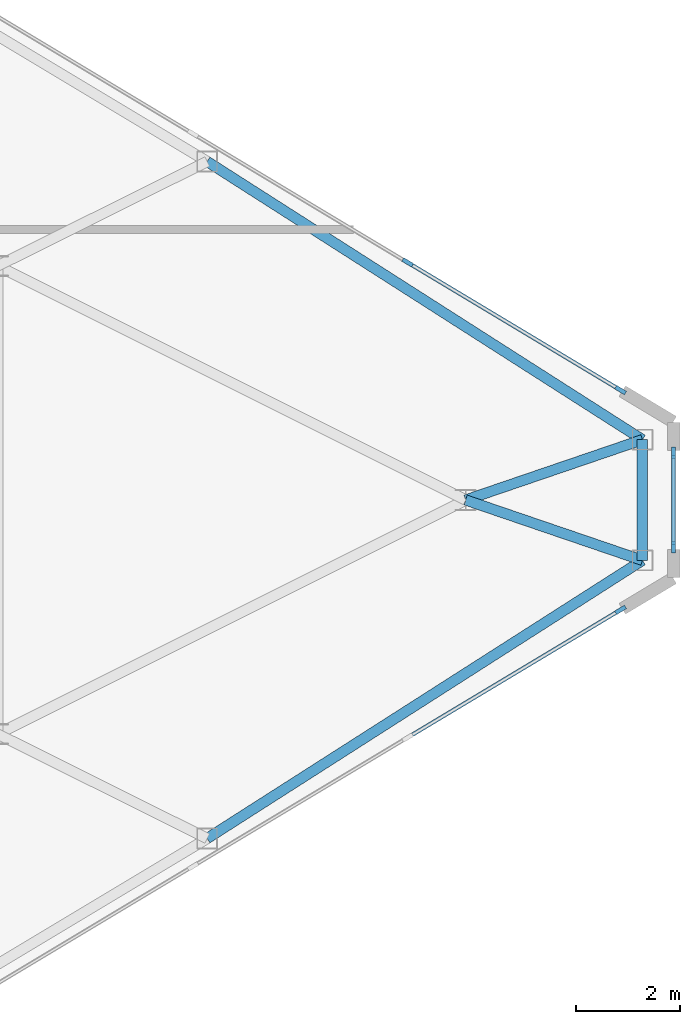
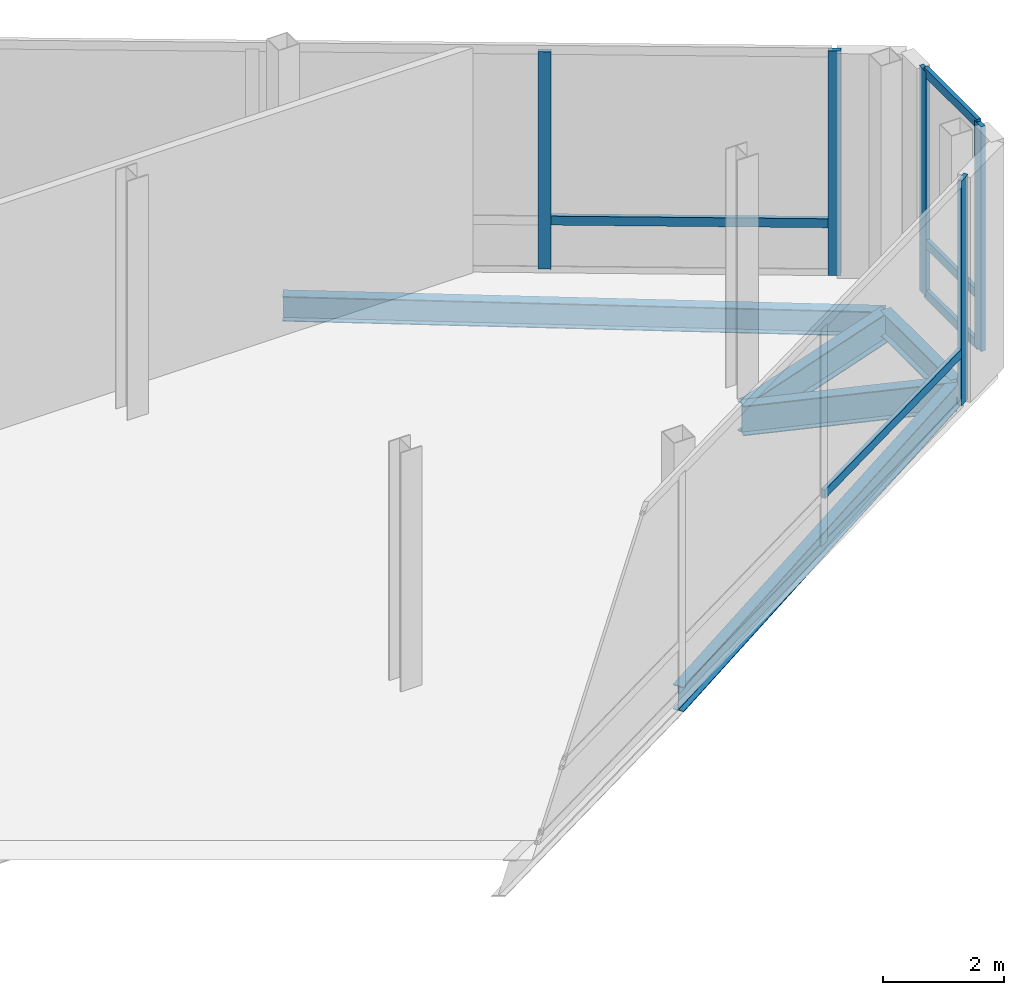
# One storey, part 18 of 28: 10 members, 5 beams, 3 elements without a shape of their own.
"""IFC4 building model written with IfcOpenShell, lengths in metres."""

import ifcopenshell
import ifcopenshell.guid

model = None  # the IFC model being written
_history = None  # IfcOwnerHistory: only IFC2X3 demands one
_inside = {}  # id of a spatial element -> (the spatial element, [elements in it])
_under = {}  # id of a project, library or spatial element -> (it, [spatial elements below it])
_declared = {}  # id of a project -> (the project, [libraries it declares])
_typed = {}  # id of a type object -> (the type object, [elements of that type])
_made_of = {}  # id of a material, layer set ... -> (it, [elements and type objects made of it])


def new_model(schema):
    """Start an empty IFC model of exactly this schema.

    Asked for "IFC4X3", IfcOpenShell would pick the latest addendum, in which some entities
    have other attributes; the version numbers below select the first issue.
    IFC2X3 requires an IfcOwnerHistory on every rooted entity: one is made here for all.
    """
    global model, _history
    if schema == "IFC4X3":
        model = ifcopenshell.file(schema_version=(4, 3, 0, 0))
    else:
        model = ifcopenshell.file(schema=schema)
    _inside.clear()
    _under.clear()
    _declared.clear()
    _typed.clear()
    _made_of.clear()
    _history = None
    if model.schema == "IFC2X3":
        org = make("IfcOrganization", Name="unknown")
        user = make(
            "IfcPersonAndOrganization",
            ThePerson=make("IfcPerson", FamilyName="unknown"),
            TheOrganization=org,
        )
        app = make(
            "IfcApplication",
            ApplicationDeveloper=org,
            Version="unknown",
            ApplicationFullName="unknown",
            ApplicationIdentifier="unknown",
        )
        _history = make(
            "IfcOwnerHistory",
            OwningUser=user,
            OwningApplication=app,
            ChangeAction="ADDED",
            CreationDate=0,
        )
    return model


def make(cls, **values):
    """One entity of the class cls with the attributes given. An attribute that is None is left unset."""
    return model.create_entity(
        cls, **{name: value for name, value in values.items() if value is not None}
    )


def rooted(cls, **values):
    """An entity with a GlobalId (a new one), such as an element, a storey or a relation."""
    return make(cls, GlobalId=ifcopenshell.guid.new(), OwnerHistory=_history, **values)


def si_unit(unit_type, name, prefix=None):
    """IfcSIUnit, for example si_unit("LENGTHUNIT", "METRE", prefix="MILLI")."""
    return make("IfcSIUnit", UnitType=unit_type, Prefix=prefix, Name=name)


def assignment(units):
    """IfcUnitAssignment: the units of a project."""
    return None if units is None else make("IfcUnitAssignment", Units=units)


def point(xyz):
    """IfcCartesianPoint."""
    return None if xyz is None else make("IfcCartesianPoint", Coordinates=xyz)


def direction(xyz):
    """IfcDirection."""
    return None if xyz is None else make("IfcDirection", DirectionRatios=xyz)


def frame(location, z_axis=None, x_axis=None):
    """IfcAxis2Placement3D, a coordinate frame: its origin and axes. An axis left out is left unset."""
    return make(
        "IfcAxis2Placement3D",
        Location=point(location),
        Axis=direction(z_axis),
        RefDirection=direction(x_axis),
    )


def frame_2d(location, x_axis=None):
    """IfcAxis2Placement2D, a coordinate frame in the plane: its origin and x axis."""
    return make(
        "IfcAxis2Placement2D", Location=point(location), RefDirection=direction(x_axis)
    )


def origin():
    """The frame at (0, 0, 0) with its axes left unset."""
    return frame((0.0, 0.0, 0.0))


def origin_2d():
    """The frame at (0, 0) in the plane with its x axis left unset."""
    return frame_2d((0.0, 0.0))


def place(relative_to, where):
    """IfcLocalPlacement: puts the frame where relative to a parent placement (None: the world)."""
    return make(
        "IfcLocalPlacement", PlacementRelTo=relative_to, RelativePlacement=where
    )


def context(
    kind, dimensions, precision=None, world=None, true_north=None, identifier=None
):
    """IfcGeometricRepresentationContext, for example the 3D "Model" context."""
    return make(
        "IfcGeometricRepresentationContext",
        ContextIdentifier=identifier,
        ContextType=kind,
        CoordinateSpaceDimension=dimensions,
        Precision=precision,
        WorldCoordinateSystem=world,
        TrueNorth=true_north,
    )


def subcontext(parent, identifier, kind, view, scale=None):
    """IfcGeometricRepresentationSubContext, for example "Body" below "Model"."""
    return make(
        "IfcGeometricRepresentationSubContext",
        ContextIdentifier=identifier,
        ContextType=kind,
        ParentContext=parent,
        TargetScale=scale,
        TargetView=view,
    )


def project(units=None, contexts=None):
    """IfcProject with its units and contexts."""
    return rooted(
        "IfcProject",
        Name="project",
        RepresentationContexts=contexts,
        UnitsInContext=assignment(units),
    )


def spatial(cls, under=None, at=None, **own):
    """A site, building, storey or space (cls), placed at a placement, below another one or the project."""
    s = rooted(cls, ObjectPlacement=at, **own)
    if under is not None:
        _under.setdefault(under.id(), (under, []))[1].append(s)
    return s


def profile(cls, at=None, kind="AREA", **sizes):
    """A parametric profile (cls). Its sizes go by their IFC names, for example OverallWidth=200.0."""
    return make(cls, ProfileType=kind, Position=at, **sizes)


def rectangle(**sizes):
    """IfcRectangleProfileDef."""
    return profile("IfcRectangleProfileDef", **sizes)


def i_section(**sizes):
    """IfcIShapeProfileDef."""
    return profile("IfcIShapeProfileDef", **sizes)


def extrude(swept, where, along, depth):
    """IfcExtrudedAreaSolid: the profile swept, set in the frame where, extruded along a direction by depth."""
    return make(
        "IfcExtrudedAreaSolid",
        SweptArea=swept,
        Position=where,
        ExtrudedDirection=direction(along),
        Depth=depth,
    )


def shape(context_of_items, identifier, shape_type, items):
    """IfcShapeRepresentation: the items that make up one representation, for example the "Body"."""
    return make(
        "IfcShapeRepresentation",
        ContextOfItems=context_of_items,
        RepresentationIdentifier=identifier,
        RepresentationType=shape_type,
        Items=items,
    )


def source(mapping_origin, context_of_items, identifier, shape_type, items):
    """IfcRepresentationMap: a shape defined once, which mapped items show again and again."""
    return make(
        "IfcRepresentationMap",
        MappingOrigin=mapping_origin,
        MappedRepresentation=shape(context_of_items, identifier, shape_type, items),
    )


def transform(
    local_origin,
    x_axis=None,
    y_axis=None,
    z_axis=None,
    scale=None,
    scale2=None,
    scale3=None,
    uniform=True,
):
    """IfcCartesianTransformationOperator3D, or its non-uniform kind. x_axis, y_axis, z_axis: its Axis1, 2, 3."""
    if uniform:
        return make(
            "IfcCartesianTransformationOperator3D",
            Axis1=direction(x_axis),
            Axis2=direction(y_axis),
            LocalOrigin=point(local_origin),
            Scale=scale,
            Axis3=direction(z_axis),
        )
    return make(
        "IfcCartesianTransformationOperator3DnonUniform",
        Axis1=direction(x_axis),
        Axis2=direction(y_axis),
        LocalOrigin=point(local_origin),
        Scale=scale,
        Axis3=direction(z_axis),
        Scale2=scale2,
        Scale3=scale3,
    )


def mapped(mapping_source, mapping_target):
    """IfcMappedItem: shows the shape of a source again, moved by a transform."""
    return make(
        "IfcMappedItem", MappingSource=mapping_source, MappingTarget=mapping_target
    )


def material(Name=None, Category=None):
    """IfcMaterial."""
    return make("IfcMaterial", Name=Name, Category=Category)


def layer(
    of_material, thickness, ventilated=None, Name=None, Category=None, Priority=None
):
    """IfcMaterialLayer: one layer of a wall or slab, of a material (None: an air gap)."""
    return make(
        "IfcMaterialLayer",
        Material=of_material,
        LayerThickness=thickness,
        IsVentilated=ventilated,
        Name=Name,
        Category=Category,
        Priority=Priority,
    )


def layer_set(layers, Name=None):
    """IfcMaterialLayerSet."""
    return make("IfcMaterialLayerSet", MaterialLayers=layers, LayerSetName=Name)


def material_profile(
    of_material, cross_section, Name=None, Category=None, Priority=None
):
    """IfcMaterialProfile: a cross section and its material."""
    return make(
        "IfcMaterialProfile",
        Name=Name,
        Material=of_material,
        Profile=cross_section,
        Priority=Priority,
        Category=Category,
    )


def profile_set(profiles, Name=None, composite=None):
    """IfcMaterialProfileSet."""
    return make(
        "IfcMaterialProfileSet",
        Name=Name,
        MaterialProfiles=profiles,
        CompositeProfile=composite,
    )


def made_of(thing, what):
    """Note that an element or type object is made of a material, layer set ...; save() writes the relation."""
    if what is not None:
        _made_of.setdefault(what.id(), (what, []))[1].append(thing)
    return thing


def type_object(cls, material=None, **own):
    """A type object (cls), such as IfcWallType, which elements share."""
    return made_of(rooted(cls, **own), material)


def type_shapes(of_type, sources):
    """Give a type object the sources (RepresentationMaps) that its elements show as mapped items."""
    of_type.RepresentationMaps = sources


def element(
    cls,
    number,
    at=None,
    inside=None,
    cuts=None,
    type_object=None,
    material=None,
    context=None,
    identifier="Body",
    shape_type=None,
    held_by="IfcProductDefinitionShape",
    body=None,
    shapes=None,
    **own,
):
    """One element of the class cls, such as IfcWall. Its Tag is "e" and its number.

    at: its placement. inside: the storey or other place that contains it. cuts: it is an
    opening in that element (IfcRelVoidsElement). A single representation is given by context,
    identifier, shape_type and body (its items); several are given by shapes. held_by: the class
    of the entity that holds the representations. save() writes the other relations.
    """
    e = rooted(cls, Tag="e%d" % number, ObjectPlacement=at, **own)
    if body is not None:
        shapes = [shape(context, identifier, shape_type, body)]
    if shapes is not None:
        e.Representation = make(held_by, Representations=shapes)
    if inside is not None:
        _inside.setdefault(inside.id(), (inside, []))[1].append(e)
    if cuts is not None:
        rooted(
            "IfcRelVoidsElement", RelatingBuildingElement=cuts, RelatedOpeningElement=e
        )
    if type_object is not None:
        _typed.setdefault(type_object.id(), (type_object, []))[1].append(e)
    return made_of(e, material)


def aggregate(whole, parts):
    """IfcRelAggregates: a whole, such as a stair, and the parts it consists of."""
    return rooted("IfcRelAggregates", RelatingObject=whole, RelatedObjects=parts)


def save(model, path):
    """Write the relations noted so far, then the file.

    IfcRelAggregates (storeys below a building ...), IfcRelContainedInSpatialStructure (elements
    in a storey), IfcRelDefinesByType, IfcRelAssociatesMaterial and IfcRelDeclares: one each for
    every whole, place, type object, material and project.
    """
    for whole, parts in _under.values():
        aggregate(whole, parts)
    for where, things in _inside.values():
        rooted(
            "IfcRelContainedInSpatialStructure",
            RelatedElements=things,
            RelatingStructure=where,
        )
    for kind, things in _typed.values():
        rooted("IfcRelDefinesByType", RelatedObjects=things, RelatingType=kind)
    for what, things in _made_of.values():
        rooted("IfcRelAssociatesMaterial", RelatedObjects=things, RelatingMaterial=what)
    for by, libraries in _declared.values():
        rooted("IfcRelDeclares", RelatingContext=by, RelatedDefinitions=libraries)
    model.write(path)


model = new_model("IFC4")

# Units and contexts
model_context = context("Model", 3, precision=1e-05, world=origin(), true_north=direction((0.0, 1.0)))
body_context = subcontext(model_context, "Body", "Model", "MODEL_VIEW")
ifc_project = project(units=[si_unit("LENGTHUNIT", "METRE"), si_unit("AREAUNIT", "SQUARE_METRE"), si_unit("VOLUMEUNIT", "CUBIC_METRE"), si_unit("PLANEANGLEUNIT", "RADIAN"), si_unit("MASSUNIT", "GRAM", prefix="KILO")], contexts=[model_context])

# Site, building, storey
site_placement = place(None, origin())
site = spatial("IfcSite", under=ifc_project, at=site_placement, CompositionType="ELEMENT")
building_placement = place(site_placement, origin())
building = spatial("IfcBuilding", under=site, at=building_placement, Name="Seokmaru Belvedere", CompositionType="ELEMENT")
storey_placement = place(building_placement, frame((0.0, 0.0, 274.199951171875)))
storey = spatial("IfcBuildingStorey", under=building, at=storey_placement, Name="L72", CompositionType="ELEMENT", Elevation=274.199951171875)

# Beams
ifc_material_1 = material(Name="Steel SM355 (355 MPa)", Category="steel")
ifc_material_profile_1 = material_profile(ifc_material_1, i_section(OverallWidth=0.199951171875, OverallDepth=0.5, WebThickness=0.010009765625, FlangeThickness=0.01611328125, at=origin_2d()), Name="H-500x200x10x16")
ifc_profile_set_1 = profile_set([ifc_material_profile_1], Name="Steel SM355 (355 MPa)")
beam_type_1 = type_object("IfcBeamType", Name="Perimeter Spandrel Beam H-500", PredefinedType="SPANDREL", material=ifc_profile_set_1)
shared_shape_1 = source(origin(), body_context, "Body", "SweptSolid", [
    extrude(i_section(OverallWidth=0.199951171875, OverallDepth=0.5, WebThickness=0.010009765625, FlangeThickness=0.01611328125, at=origin_2d()), origin(), (0.0, 0.0, 1.0), 9.932861328125),
])
for number, where, z_axis, x_axis, name in (
    (1, (58.530029296875, -6.5087890625, -0.510009765625), (0.842651960357, 0.538458609093, 0.0), (-0.538458609093, 0.842651960357, 0.0), "L72 E Faceted Flank Spandrel S-4"),
    (2, (58.530029296875, 6.5087890625, -0.510009765625), (0.842651960357, -0.538458609093, 0.0), (0.538458609093, 0.842651960357, 0.0), "L72 E Faceted Flank Spandrel N-4"),
):
    element("IfcBeam", number, at=place(storey_placement, frame(where, z_axis=z_axis, x_axis=x_axis)), inside=storey, type_object=beam_type_1, Name=name, PredefinedType="SPANDREL", context=body_context, shape_type="MappedRepresentation", body=[
        mapped(shared_shape_1, transform((0.0, 0.0, 0.0), scale=1.0)),
    ])
shared_shape_2 = source(origin(), body_context, "Body", "SweptSolid", [
    extrude(i_section(OverallWidth=0.199951171875, OverallDepth=0.5, WebThickness=0.010009765625, FlangeThickness=0.01611328125, at=origin_2d()), origin(), (0.0, 0.0, 1.0), 2.32080078125),
])
type_shapes(beam_type_1, [shared_shape_1, shared_shape_2])
beam_placement = place(storey_placement, frame((66.89990234375, -1.160400390625, -0.510009765625), z_axis=(0.0, 1.0, 0.0), x_axis=(-1.0, 0.0, 0.0)))
element("IfcBeam", 3, at=beam_placement, inside=storey, type_object=beam_type_1, Name="L72 E Faceted Apex Spandrel", PredefinedType="SPANDREL", context=body_context, shape_type="MappedRepresentation", body=[
    mapped(shared_shape_2, transform((0.0, 0.0, 0.0), scale=1.0)),
])
ifc_material_profile_2 = material_profile(ifc_material_1, i_section(OverallWidth=0.199951171875, OverallDepth=0.60009765625, WebThickness=0.010986328125, FlangeThickness=0.01708984375, at=origin_2d()), Name="H-600x200x11x17")
ifc_profile_set_2 = profile_set([ifc_material_profile_2], Name="Steel SM355 (355 MPa)")
beam_type_2 = type_object("IfcBeamType", Name="Primary Floor Girder H-600", PredefinedType="BEAM", material=ifc_profile_set_2)
shared_shape_3 = source(origin(), body_context, "Body", "SweptSolid", [
    extrude(i_section(OverallWidth=0.199951171875, OverallDepth=0.60009765625, WebThickness=0.010986328125, FlangeThickness=0.01708984375, at=origin_2d()), origin(), (0.0, 0.0, 1.0), 3.592529296875),
])
type_shapes(beam_type_2, [shared_shape_3])
for number, where, z_axis, x_axis, name in (
    (4, (66.89990234375, -1.160400390625, -0.56005859375), (-0.946395973048, 0.323008764893, 0.0), (-0.323008764893, -0.946395973048, 0.0), "L72 E Apex Radial Floor Girder 1"),
    (5, (66.89990234375, 1.160400390625, -0.56005859375), (-0.946395973048, -0.323008764893, 0.0), (0.323008764893, -0.946395973048, 0.0), "L72 E Apex Radial Floor Girder 2"),
):
    element("IfcBeam", number, at=place(storey_placement, frame(where, z_axis=z_axis, x_axis=x_axis)), inside=storey, type_object=beam_type_2, Name=name, PredefinedType="BEAM", context=body_context, shape_type="MappedRepresentation", body=[
        mapped(shared_shape_3, transform((0.0, 0.0, 0.0), scale=1.0)),
    ])

# Curtain wall, member
ifc_material_2 = material(Name="Bronze Triple Insulating Glass", Category="glass")
ifc_layer = layer(ifc_material_2, 0.219970703125)
ifc_layer_set = layer_set([ifc_layer], Name="Bronze Triple Insulating Glass")
curtain_wall_type = type_object("IfcCurtainWallType", Name="Sky-Gate Bridge Panorama Curtain Wall System CW-6", PredefinedType="NOTDEFINED", material=ifc_layer_set)
curtain_wall_1_placement = place(storey_placement, origin())
curtain_wall_1 = element("IfcCurtainWall", 6, at=curtain_wall_1_placement, inside=storey, type_object=curtain_wall_type, Name="L72 Curtain Wall EF1", PredefinedType="NOTDEFINED")
ifc_material_3 = material(Name="Anodised Bronze Aluminium", Category="aluminium")
ifc_material_profile_3 = material_profile(ifc_material_3, rectangle(XDim=0.074951171875, YDim=0.179931640625, at=origin_2d()), Name="CW-T-75x180")
ifc_profile_set_3 = profile_set([ifc_material_profile_3], Name="Anodised Bronze Aluminium")
member_type_1 = type_object("IfcMemberType", Name="Bronze Unitised Transom 75x180", PredefinedType="USERDEFINED", material=ifc_profile_set_3)
shared_shape_4 = source(origin(), body_context, "Body", "SweptSolid", [
    extrude(rectangle(XDim=0.074951171875, YDim=0.179931640625, at=origin_2d()), origin(), (0.0, 0.0, 1.0), 4.694580078125),
])
member_1_placement = place(storey_placement, frame((62.419677734375, -4.548095703125, 1.050048828125), z_axis=(0.85750210284, 0.514480459906, 0.0), x_axis=(-0.514480459906, 0.85750210284, 0.0)))
member_1 = element("IfcMember", 7, at=member_1_placement, type_object=member_type_1, Name="CW:L72:EF1 Spandrel Transom 8", ObjectType="TRANSOM", PredefinedType="USERDEFINED", context=body_context, shape_type="MappedRepresentation", body=[
    mapped(shared_shape_4, transform((0.0, 0.0, 0.0), scale=1.0)),
])

curtain_wall_2_placement = place(storey_placement, origin())
curtain_wall_2 = element("IfcCurtainWall", 8, at=curtain_wall_2_placement, inside=storey, type_object=curtain_wall_type, Name="L72 Curtain Wall EF3", PredefinedType="NOTDEFINED")
member_2_placement = place(storey_placement, frame((66.4453125, 2.1328125, 1.050048828125), z_axis=(-0.85750210284, 0.514480459906, 0.0), x_axis=(-0.514480459906, -0.85750210284, 0.0)))
member_2 = element("IfcMember", 9, at=member_2_placement, type_object=member_type_1, Name="CW:L72:EF3 Spandrel Transom 1", ObjectType="TRANSOM", PredefinedType="USERDEFINED", context=body_context, shape_type="MappedRepresentation", body=[
    mapped(shared_shape_4, transform((0.0, 0.0, 0.0), scale=1.0)),
])

# Curtain wall, members
curtain_wall_3_placement = place(storey_placement, origin())
curtain_wall_3 = element("IfcCurtainWall", 10, at=curtain_wall_3_placement, inside=storey, type_object=curtain_wall_type, Name="L72 Curtain Wall EF2", PredefinedType="NOTDEFINED")
shared_shape_5 = source(origin(), body_context, "Body", "SweptSolid", [
    extrude(rectangle(XDim=0.074951171875, YDim=0.179931640625, at=origin_2d()), origin(), (0.0, 0.0, 1.0), 1.740234375),
])
type_shapes(member_type_1, [shared_shape_4, shared_shape_5])
member_3_placement = place(storey_placement, frame((67.5, -0.8701171875, 0.03759765625), z_axis=(0.0, 1.0, 0.0), x_axis=(-1.0, 0.0, 0.0)))
member_3 = element("IfcMember", 11, at=member_3_placement, type_object=member_type_1, Name="CW:L72:EF2 Continuous Transom 1", ObjectType="TRANSOM", PredefinedType="USERDEFINED", context=body_context, shape_type="MappedRepresentation", body=[
    mapped(shared_shape_5, transform((0.0, 0.0, 0.0), scale=1.0)),
])
member_4_placement = place(storey_placement, frame((67.5, -0.8701171875, 4.482666015625), z_axis=(0.0, 1.0, 0.0), x_axis=(-1.0, 0.0, 0.0)))
member_4 = element("IfcMember", 12, at=member_4_placement, type_object=member_type_1, Name="CW:L72:EF2 Continuous Transom 2", ObjectType="TRANSOM", PredefinedType="USERDEFINED", context=body_context, shape_type="MappedRepresentation", body=[
    mapped(shared_shape_5, transform((0.0, 0.0, 0.0), scale=1.0)),
])
member_5_placement = place(storey_placement, frame((67.5, -0.8701171875, 1.050048828125), z_axis=(0.0, 1.0, 0.0), x_axis=(-1.0, 0.0, 0.0)))
member_5 = element("IfcMember", 13, at=member_5_placement, type_object=member_type_1, Name="CW:L72:EF2 Spandrel Transom 1", ObjectType="TRANSOM", PredefinedType="USERDEFINED", context=body_context, shape_type="MappedRepresentation", body=[
    mapped(shared_shape_5, transform((0.0, 0.0, 0.0), scale=1.0)),
])

# Member
ifc_material_profile_4 = material_profile(ifc_material_3, rectangle(XDim=0.080078125, YDim=0.219970703125, at=origin_2d()), Name="CW-M-80x220")
ifc_profile_set_4 = profile_set([ifc_material_profile_4], Name="Anodised Bronze Aluminium")
member_type_2 = type_object("IfcMemberType", Name="Bronze Unitised Mullion 80x220", PredefinedType="MULLION", material=ifc_profile_set_4)
shared_shape_6 = source(origin(), body_context, "Body", "SweptSolid", [
    extrude(rectangle(XDim=0.080078125, YDim=0.219970703125, at=origin_2d()), origin(), (0.0, 0.0, 1.0), 4.52001953125),
])
member_6_placement = place(storey_placement, frame((66.4794921875, -2.1123046875, 0.0), z_axis=(0.0, 0.0, 1.0), x_axis=(-0.514494909364, 0.85749343335, 0.0)))
member_6 = element("IfcMember", 14, at=member_6_placement, type_object=member_type_2, Name="CW:L72:EF1 Mullion 9", PredefinedType="MULLION", context=body_context, shape_type="MappedRepresentation", body=[
    mapped(shared_shape_6, transform((0.0, 0.0, 0.0), scale=1.0)),
])

aggregate(curtain_wall_1, [member_6, member_1])

member_7_placement = place(storey_placement, frame((67.5, -0.909912109375, 0.0), z_axis=(0.0, 0.0, 1.0), x_axis=(-1.0, 0.0, 0.0)))
member_7 = element("IfcMember", 15, at=member_7_placement, type_object=member_type_2, Name="CW:L72:EF2 Mullion 1", PredefinedType="MULLION", context=body_context, shape_type="MappedRepresentation", body=[
    mapped(shared_shape_6, transform((0.0, 0.0, 0.0), scale=1.0)),
])

member_8_placement = place(storey_placement, frame((67.5, 0.909912109375, 0.0), z_axis=(0.0, 0.0, 1.0), x_axis=(-1.0, 0.0, 0.0)))
member_8 = element("IfcMember", 16, at=member_8_placement, type_object=member_type_2, Name="CW:L72:EF2 Mullion 2", PredefinedType="MULLION", context=body_context, shape_type="MappedRepresentation", body=[
    mapped(shared_shape_6, transform((0.0, 0.0, 0.0), scale=1.0)),
])

aggregate(curtain_wall_3, [member_7, member_8, member_3, member_4, member_5])

member_9_placement = place(storey_placement, frame((66.4794921875, 2.1123046875, 0.0), z_axis=(0.0, 0.0, 1.0), x_axis=(-0.514494909364, -0.85749343335, 0.0)))
member_9 = element("IfcMember", 17, at=member_9_placement, type_object=member_type_2, Name="CW:L72:EF3 Mullion 1", PredefinedType="MULLION", context=body_context, shape_type="MappedRepresentation", body=[
    mapped(shared_shape_6, transform((0.0, 0.0, 0.0), scale=1.0)),
])

shared_shape_7 = source(origin(), body_context, "Body", "SweptSolid", [
    extrude(rectangle(XDim=0.080078125, YDim=0.219970703125, at=origin_2d()), origin(), (0.0, 0.0, 1.0), 4.3701171875),
])
type_shapes(member_type_2, [shared_shape_6, shared_shape_7])
member_10_placement = place(storey_placement, frame((62.385498046875, 4.56884765625, 0.074951171875), z_axis=(0.0, 0.0, 1.0), x_axis=(-0.514494909364, -0.85749343335, 0.0)))
member_10 = element("IfcMember", 18, at=member_10_placement, type_object=member_type_2, Name="CW:L72:EF3 Mullion 2", PredefinedType="MULLION", context=body_context, shape_type="MappedRepresentation", body=[
    mapped(shared_shape_7, transform((0.0, 0.0, 0.0), scale=1.0)),
])

aggregate(curtain_wall_2, [member_9, member_10, member_2])

save(model, "model.ifc")
